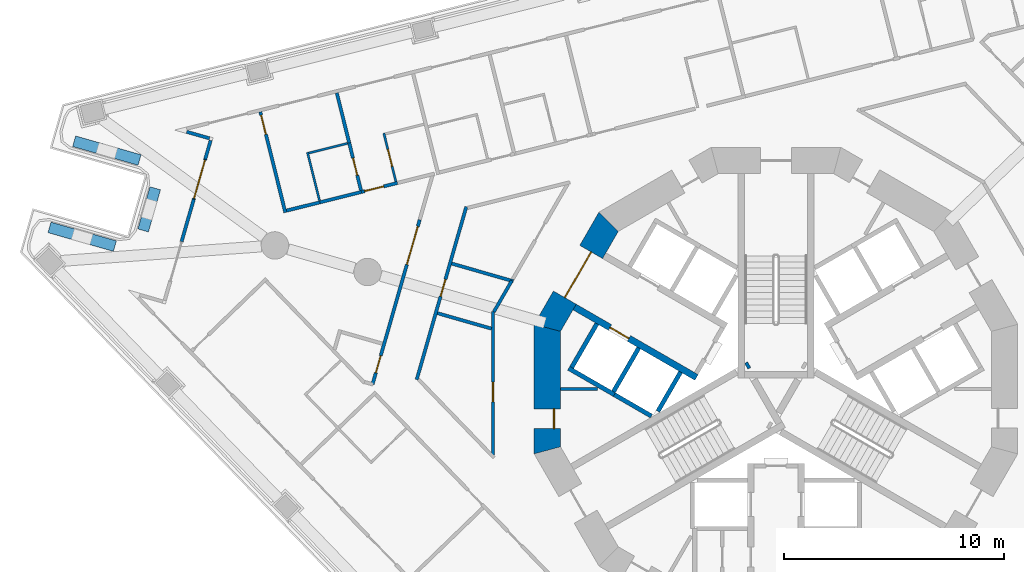
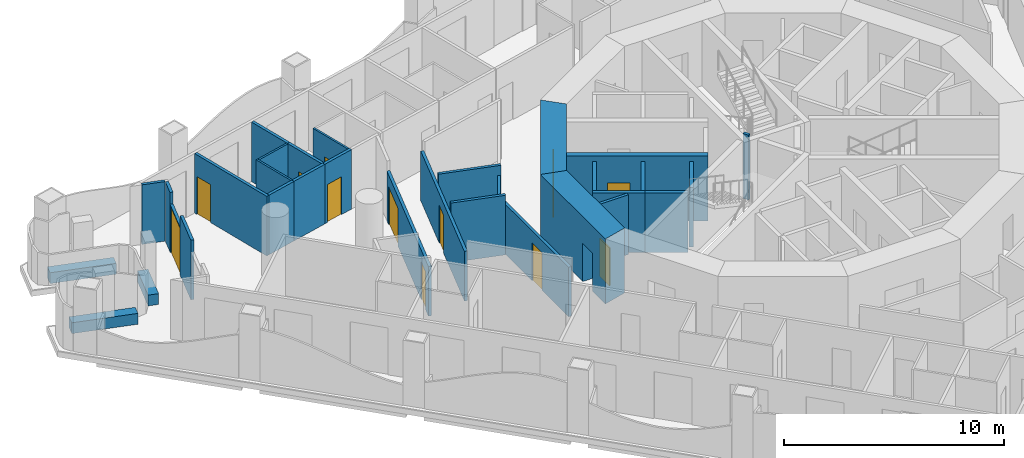
# One storey, part 6 of 18: 32 walls, 12 doors, 12 openings.
"""IFC4 building model written with IfcOpenShell, lengths in metres."""

from ifc_helpers import new_model, si_unit, direction, frame, frame_2d, origin, place, context, subcontext, project, spatial, polyline, rectangle, outline, extrude, material, layer, layer_set, type_object, element, fill, save


model = new_model("IFC4")

# Units and contexts
model_context = context("Model", 3, precision=1e-05, world=origin(), true_north=direction((0.0, 1.0)))
body_context = subcontext(model_context, "Body", "Model", "MODEL_VIEW")
ifc_project = project(units=[si_unit("LENGTHUNIT", "METRE"), si_unit("AREAUNIT", "SQUARE_METRE"), si_unit("VOLUMEUNIT", "CUBIC_METRE"), si_unit("PLANEANGLEUNIT", "RADIAN"), si_unit("MASSUNIT", "GRAM", prefix="KILO")], contexts=[model_context])

# Site, building, storey
site_placement = place(None, origin())
site = spatial("IfcSite", under=ifc_project, at=site_placement, CompositionType="ELEMENT")
building_placement = place(site_placement, origin())
building = spatial("IfcBuilding", under=site, at=building_placement, Name="Trine Commons Tower", CompositionType="ELEMENT")
storey_placement = place(building_placement, frame((0.0, 0.0, 94.5)))
storey = spatial("IfcBuildingStorey", under=building, at=storey_placement, Name="L23", CompositionType="ELEMENT", Elevation=94.5)

# Walls
ifc_material_1 = material(Name="Plasterboard partition on steel studs", Category="steel")
ifc_layer_1 = layer(ifc_material_1, 0.14990234375)
ifc_layer_set_1 = layer_set([ifc_layer_1], Name="Plasterboard partition on steel studs")
wall_type_1 = type_object("IfcWallType", Name="Core room partition 150 mm, EI 60", PredefinedType="PARTITIONING", material=ifc_layer_set_1)
wall_1_placement = place(storey_placement, frame((70.18798828125, 62.5, 0.0), z_axis=(0.0, 0.0, 1.0), x_axis=(1.0, 0.0, 0.0)))
element("IfcWall", 1, at=wall_1_placement, inside=storey, type_object=wall_type_1, Name="Core room partition L23", PredefinedType="PARTITIONING", context=body_context, shape_type="SweptSolid", body=[
    extrude(rectangle(XDim=1.68310546875, YDim=0.14990234375, at=frame_2d((0.841552734375, 0.0))), origin(), (0.0, 0.0, 1.0), 3.300048828125),
])
ifc_material_2 = material(Name="Aluminium-framed insulated wall panel", Category="aluminium")
ifc_layer_2 = layer(ifc_material_2, 0.14990234375)
ifc_layer_set_2 = layer_set([ifc_layer_2], Name="Aluminium-framed insulated wall panel")
wall_type_2 = type_object("IfcWallType", Name="Glazed frame wall 150, EI 60", PredefinedType="SOLIDWALL", material=ifc_layer_set_2)
wall_2_placement = place(storey_placement, frame((52.931396484375, 69.221435546875, 0.0), z_axis=(0.0, 0.0, 1.0), x_axis=(0.275511032617, 0.961297909551, 0.0)))
element("IfcWall", 2, at=wall_2_placement, inside=storey, type_object=wall_type_2, Name="Glazed frame wall P1.3", PredefinedType="SOLIDWALL", context=body_context, shape_type="SweptSolid", body=[
    extrude(outline(polyline([(0.0, -0.074951171875), (2.0, -0.074951171875), (2.0, 0.074951171875), (0.0, 0.074951171875), (0.0, -0.074951171875)])), origin(), (0.0, 0.0, 1.0), 3.300048828125),
])

# Wall, opening, door
wall_3_placement = place(storey_placement, frame((53.482421875, 71.14404296875, 0.0), z_axis=(0.0, 0.0, 1.0), x_axis=(0.275739195228, 0.961232488119, 0.0)))
wall_3 = element("IfcWall", 3, at=wall_3_placement, inside=storey, type_object=wall_type_2, Name="Glazed frame wall P1.4", PredefinedType="SOLIDWALL", context=body_context, shape_type="SweptSolid", body=[
    extrude(outline(polyline([(0.0, -0.074951171875), (1.89990234375, -0.074951171875), (1.89990234375, 0.074951171875), (0.0, 0.074951171875), (0.0, -0.074951171875)])), origin(), (0.0, 0.0, 1.0), 2.64990234375),
])
opening_1_placement = place(wall_3_placement, frame((0.050048828125, 0.0, 0.0)))
opening_1 = element("IfcOpeningElement", 4, at=opening_1_placement, cuts=wall_3, Name="Opening BD-3P1-02", PredefinedType="OPENING", context=body_context, shape_type="SweptSolid", body=[
    extrude(rectangle(XDim=1.800048828125, YDim=2.60009765625, at=frame_2d((0.89990234375, 1.300048828125))), frame((0.0, 0.0849609375, 0.0), z_axis=(0.0, -1.0, 0.0), x_axis=(1.0, 0.0, 0.0)), (0.0, 0.0, 1.0), 0.169921875),
])
ifc_material_3 = material(Name="Anodised aluminium frame with double glazing", Category="aluminium")
door_type_1 = type_object("IfcDoorType", Name="Sliding loggia door 1800x2600", OperationType="SLIDING_TO_LEFT", PredefinedType="DOOR", material=ifc_material_3)
door_1_placement = place(opening_1_placement, origin())
door_1 = element("IfcDoor", 5, at=door_1_placement, inside=storey, type_object=door_type_1, Name="Loggia door P1 2", OperationType="SLIDING_TO_LEFT", OverallHeight=2.60009765625, OverallWidth=1.800048828125, PredefinedType="DOOR", context=body_context, shape_type="SweptSolid", body=[
    extrude(rectangle(XDim=1.800048828125, YDim=2.60009765625, at=frame_2d((0.89990234375, 1.300048828125))), frame((0.0, 0.02490234375, 0.0), z_axis=(0.0, -1.0, 0.0), x_axis=(1.0, 0.0, 0.0)), (0.0, 0.0, 1.0), 0.050048828125),
])
fill(opening_1, door_1)

# Walls
wall_4_placement = place(storey_placement, frame((54.00634765625, 72.970458984375, 0.0), z_axis=(0.0, 0.0, 1.0), x_axis=(0.275656175253, 0.961256299353, 0.0)))
element("IfcWall", 6, at=wall_4_placement, inside=storey, type_object=wall_type_2, Name="Glazed frame wall P1.5", PredefinedType="SOLIDWALL", context=body_context, shape_type="SweptSolid", body=[
    extrude(outline(polyline([(0.889892578125, 0.074951171875), (0.0, 0.074951171875), (0.0, -0.074951171875), (0.889892578125, -0.074951171875), (0.889892578125, 0.074951171875)])), origin(), (0.0, 0.0, 1.0), 3.300048828125),
])
wall_5_placement = place(storey_placement, frame((54.305908203125, 73.888427734375, 0.0), z_axis=(0.0, 0.0, 1.0), x_axis=(-0.961242628544, 0.275703843044, 0.0)))
element("IfcWall", 7, at=wall_5_placement, inside=storey, type_object=wall_type_2, Name="Glazed frame wall R3", PredefinedType="SOLIDWALL", context=body_context, shape_type="SweptSolid", body=[
    extrude(outline(polyline([(0.110107421875, 0.074951171875), (0.110107421875, -0.074951171875), (1.19580078125, -0.074951171875), (1.19580078125, 0.074951171875), (0.110107421875, 0.074951171875)])), origin(), (0.0, 0.0, 1.0), 3.300048828125),
])
ifc_material_4 = material(Name="Planter trough, precast concrete C40/50", Category="concrete")
ifc_layer_3 = layer(ifc_material_4, 0.5)
ifc_layer_set_3 = layer_set([ifc_layer_3], Name="Planter trough, precast concrete C40/50")
wall_type_3 = type_object("IfcWallType", Name="Planter trough 500x600", PredefinedType="PARAPET", material=ifc_layer_set_3)
wall_6_placement = place(storey_placement, frame((46.91064453125, 69.865966796875, 0.0), z_axis=(0.0, 0.0, 1.0), x_axis=(0.961261991794, -0.275636324044, 0.0)))
element("IfcWall", 8, at=wall_6_placement, inside=storey, type_object=wall_type_3, Name="Planter 1", PredefinedType="PARAPET", context=body_context, shape_type="SweptSolid", body=[
    extrude(rectangle(XDim=3.10009765625, YDim=0.5, at=frame_2d((1.550048828125, 0.0))), origin(), (0.0, 0.0, 1.0), 0.60009765625),
])
wall_7_placement = place(storey_placement, frame((51.177001953125, 69.724609375, 0.0), z_axis=(0.0, 0.0, 1.0), x_axis=(0.275623830648, 0.961265574115, 0.0)))
element("IfcWall", 9, at=wall_7_placement, inside=storey, type_object=wall_type_3, Name="Planter 2", PredefinedType="PARAPET", context=body_context, shape_type="SweptSolid", body=[
    extrude(rectangle(XDim=2.0, YDim=0.5, at=frame_2d((1.0, 0.0))), origin(), (0.0, 0.0, 1.0), 0.60009765625),
])
wall_8_placement = place(storey_placement, frame((51.01513671875, 72.93359375, 0.0), z_axis=(0.0, 0.0, 1.0), x_axis=(-0.961261991794, 0.275636324044, 0.0)))
element("IfcWall", 10, at=wall_8_placement, inside=storey, type_object=wall_type_3, Name="Planter 3", PredefinedType="PARAPET", context=body_context, shape_type="SweptSolid", body=[
    extrude(rectangle(XDim=3.10009765625, YDim=0.5, at=frame_2d((1.550048828125, 0.0))), origin(), (0.0, 0.0, 1.0), 0.60009765625),
])

# Wall, opening, door
ifc_material_5 = material(Name="Concrete C70/85", Category="concrete")
ifc_layer_4 = layer(ifc_material_5, 1.199951171875)
ifc_layer_set_4 = layer_set([ifc_layer_4], Name="Concrete C70/85")
wall_type_4 = type_object("IfcWallType", Name="RC shear wall 1200 mm, C70/85", PredefinedType="SHEAR", material=ifc_layer_set_4)
wall_9_placement = place(storey_placement, frame((72.45849609375, 70.260986328125, 0.0), z_axis=(0.0, 0.0, 1.0), x_axis=(-0.499979111662, -0.866037463336, 0.0)))
wall_9 = element("IfcWall", 11, at=wall_9_placement, inside=storey, type_object=wall_type_4, Name="Core wall CWC-06 L23", PredefinedType="SHEAR", context=body_context, shape_type="SweptSolid", body=[
    extrude(outline(polyline([(0.0, -0.60009765625), (5.901123046875, -0.60009765625), (5.57958984375, 0.60009765625), (0.321533203125, 0.60009765625), (0.0, -0.60009765625)])), origin(), (0.0, 0.0, 1.0), 3.60009765625),
])
opening_2_placement = place(wall_9_placement, frame((1.75048828125, 0.0, 0.0)))
opening_2 = element("IfcOpeningElement", 12, at=opening_2_placement, cuts=wall_9, Name="Opening K06.06", PredefinedType="OPENING", context=body_context, shape_type="SweptSolid", body=[
    extrude(rectangle(XDim=2.39990234375, YDim=2.10009765625, at=frame_2d((1.199951171875, 1.050048828125))), frame((0.0, 0.60986328125, 0.0), z_axis=(0.0, -1.0, 0.0), x_axis=(1.0, 0.0, 0.0)), (0.0, 0.0, 1.0), 1.219970703125),
])
ifc_material_6 = material(Name="Steel door leaves, fire-rated", Category="steel")
door_type_2 = type_object("IfcDoorType", Name="Lobby door, double leaf 2400 x 2100, FD60", OperationType="DOUBLE_DOOR_SINGLE_SWING", PredefinedType="DOOR", material=ifc_material_6)
door_2_placement = place(opening_2_placement, origin())
door_2 = element("IfcDoor", 13, at=door_2_placement, inside=storey, type_object=door_type_2, Name="Lobby door, Passenger lift lobby B L23", OperationType="DOUBLE_DOOR_SINGLE_SWING", OverallHeight=2.10009765625, OverallWidth=2.39990234375, PredefinedType="DOOR", context=body_context, shape_type="SweptSolid", body=[
    extrude(rectangle(XDim=2.39990234375, YDim=2.10009765625, at=frame_2d((1.199951171875, 1.050048828125))), frame((0.0, 0.02490234375, 0.0), z_axis=(0.0, -1.0, 0.0), x_axis=(1.0, 0.0, 0.0)), (0.0, 0.0, 1.0), 0.050048828125),
])
fill(opening_2, door_2)

wall_10_placement = place(storey_placement, frame((69.58837890625, 65.450439453125, 0.0), z_axis=(0.0, 0.0, 1.0), x_axis=(0.0, -1.0, 0.0)))
wall_10 = element("IfcWall", 14, at=wall_10_placement, inside=storey, type_object=wall_type_4, Name="Core wall CWC-07 L23", PredefinedType="SHEAR", context=body_context, shape_type="SweptSolid", body=[
    extrude(outline(polyline([(0.0, -0.60009765625), (5.90087890625, -0.60009765625), (5.57958984375, 0.60009765625), (0.321533203125, 0.60009765625), (0.0, -0.60009765625)])), origin(), (0.0, 0.0, 1.0), 3.60009765625),
])
opening_3_placement = place(wall_10_placement, frame((3.8505859375, 0.0, 0.0)))
opening_3 = element("IfcOpeningElement", 15, at=opening_3_placement, cuts=wall_10, Name="Opening K06.14", PredefinedType="OPENING", context=body_context, shape_type="SweptSolid", body=[
    extrude(rectangle(XDim=0.89990234375, YDim=2.10009765625, at=frame_2d((0.449951171875, 1.050048828125))), frame((0.0, 0.60986328125, 0.0), z_axis=(0.0, -1.0, 0.0), x_axis=(1.0, 0.0, 0.0)), (0.0, 0.0, 1.0), 1.219970703125),
])
ifc_material_7 = material(Name="Steel door leaf, fire-rated", Category="steel")
door_type_3 = type_object("IfcDoorType", Name="Core room door, single leaf 900 x 2100, FD30S", OperationType="SINGLE_SWING_LEFT", PredefinedType="DOOR", material=ifc_material_7)
door_3_placement = place(opening_3_placement, origin())
door_3 = element("IfcDoor", 16, at=door_3_placement, inside=storey, type_object=door_type_3, Name="Door to Comms room L23", OperationType="SINGLE_SWING_RIGHT", OverallHeight=2.10009765625, OverallWidth=0.89990234375, PredefinedType="DOOR", context=body_context, shape_type="SweptSolid", body=[
    extrude(rectangle(XDim=0.89990234375, YDim=2.10009765625, at=frame_2d((0.449951171875, 1.050048828125))), frame((0.0, 0.3251953125, 0.0), z_axis=(0.0, -1.0, 0.0), x_axis=(1.0, 0.0, 0.0)), (0.0, 0.0, 1.0), 0.050048828125),
])
fill(opening_3, door_3)

ifc_layer_5 = layer(ifc_material_5, 0.300048828125)
ifc_layer_set_5 = layer_set([ifc_layer_5], Name="Concrete C70/85")
wall_type_5 = type_object("IfcWallType", Name="RC shear wall 300 mm, C70/85", PredefinedType="SHEAR", material=ifc_layer_set_5)
wall_11_placement = place(storey_placement, frame((76.381103515625, 63.031005859375, 0.0), z_axis=(0.0, 0.0, 1.0), x_axis=(-0.866032150378, 0.499988314375, 0.0)))
wall_11 = element("IfcWall", 17, at=wall_11_placement, inside=storey, type_object=wall_type_5, Name="Core cross wall SWA-01 L23", PredefinedType="SHEAR", context=body_context, shape_type="SweptSolid", body=[
    extrude(rectangle(XDim=6.412353515625, YDim=0.300048828125, at=frame_2d((3.2060546875, 0.0))), origin(), (0.0, 0.0, 1.0), 3.60009765625),
])
opening_4_placement = place(wall_11_placement, frame((3.55029296875, 0.0, 0.0)))
opening_4 = element("IfcOpeningElement", 18, at=opening_4_placement, cuts=wall_11, Name="Opening LD3", PredefinedType="OPENING", context=body_context, shape_type="SweptSolid", body=[
    extrude(rectangle(XDim=1.0, YDim=2.10009765625, at=frame_2d((0.5, 1.050048828125))), frame((0.0, 0.159912109375, 0.0), z_axis=(0.0, -1.0, 0.0), x_axis=(1.0, 0.0, 0.0)), (0.0, 0.0, 1.0), 0.320068359375),
])
ifc_material_8 = material(Name="Stainless steel sliding door leaves", Category="steel")
door_type_4 = type_object("IfcDoorType", Name="Lift landing door, centre-opening sliding 1000 x 2100, FD90", OperationType="DOUBLE_DOOR_SLIDING", PredefinedType="DOOR", material=ifc_material_8)
door_4_placement = place(opening_4_placement, origin())
door_4 = element("IfcDoor", 19, at=door_4_placement, inside=storey, type_object=door_type_4, Name="Lift landing door LR3 L23", OperationType="DOUBLE_DOOR_SLIDING", OverallHeight=2.10009765625, OverallWidth=1.0, PredefinedType="DOOR", context=body_context, shape_type="SweptSolid", body=[
    extrude(rectangle(XDim=1.0, YDim=2.10009765625, at=frame_2d((0.5, 1.050048828125))), frame((0.0, 0.02490234375, 0.0), z_axis=(0.0, -1.0, 0.0), x_axis=(1.0, 0.0, 0.0)), (0.0, 0.0, 1.0), 0.050048828125),
])
fill(opening_4, door_4)

# Walls
wall_12_placement = place(storey_placement, frame((78.779052734375, 63.614013671875, 0.0), z_axis=(0.0, 0.0, 1.0), x_axis=(-0.867737973955, -0.497021939713, 0.0)))
element("IfcWall", 20, at=wall_12_placement, inside=storey, type_object=wall_type_5, Name="Core cross wall SWA-09 L23", PredefinedType="SHEAR", context=body_context, shape_type="SweptSolid", body=[
    extrude(rectangle(XDim=0.14892578125, YDim=0.300048828125, at=frame_2d((0.074462890625, 0.0))), origin(), (0.0, 0.0, 1.0), 3.60009765625),
])
ifc_material_9 = material(Name="Fire-rated gypsum shaft wall system")
ifc_layer_6 = layer(ifc_material_9, 0.199951171875)
ifc_layer_set_6 = layer_set([ifc_layer_6], Name="Fire-rated gypsum shaft wall system")
wall_type_6 = type_object("IfcWallType", Name="Shaft wall 200 mm, EI 120", PredefinedType="PARTITIONING", material=ifc_layer_set_6)
wall_13_placement = place(storey_placement, frame((71.844970703125, 65.47607421875, 0.0), z_axis=(0.0, 0.0, 1.0), x_axis=(-0.500136062276, -0.86594683394, 0.0)))
element("IfcWall", 21, at=wall_13_placement, inside=storey, type_object=wall_type_6, Name="Shaft wall L23", PredefinedType="PARTITIONING", context=body_context, shape_type="SweptSolid", body=[
    extrude(rectangle(XDim=2.299072265625, YDim=0.199951171875, at=frame_2d((1.1494140625, 0.0))), origin(), (0.0, 0.0, 1.0), 3.300048828125),
])
wall_14_placement = place(storey_placement, frame((72.637939453125, 62.248046875, 0.0), z_axis=(0.0, 0.0, 1.0), x_axis=(-0.866177122335, 0.499737123639, 0.0)))
element("IfcWall", 22, at=wall_14_placement, inside=storey, type_object=wall_type_6, Name="Shaft wall L23", PredefinedType="PARTITIONING", context=body_context, shape_type="SweptSolid", body=[
    extrude(rectangle(XDim=2.401123046875, YDim=0.199951171875, at=frame_2d((1.20068359375, 0.0))), origin(), (0.0, 0.0, 1.0), 3.300048828125),
])
wall_15_placement = place(storey_placement, frame((73.7509765625, 64.3759765625, 0.0), z_axis=(0.0, 0.0, 1.0), x_axis=(-0.500136062276, -0.86594683394, 0.0)))
element("IfcWall", 23, at=wall_15_placement, inside=storey, type_object=wall_type_6, Name="Shaft wall L23", PredefinedType="PARTITIONING", context=body_context, shape_type="SweptSolid", body=[
    extrude(rectangle(XDim=2.299072265625, YDim=0.199951171875, at=frame_2d((1.1494140625, 0.0))), origin(), (0.0, 0.0, 1.0), 3.300048828125),
])
wall_16_placement = place(storey_placement, frame((74.324951171875, 61.27294921875, 0.0), z_axis=(0.0, 0.0, 1.0), x_axis=(-0.865780634835, 0.500423712812, 0.0)))
element("IfcWall", 24, at=wall_16_placement, inside=storey, type_object=wall_type_6, Name="Shaft wall L23", PredefinedType="PARTITIONING", context=body_context, shape_type="SweptSolid", body=[
    extrude(rectangle(XDim=1.948486328125, YDim=0.199951171875, at=frame_2d((0.97412109375, 0.0))), origin(), (0.0, 0.0, 1.0), 3.300048828125),
])
wall_17_placement = place(storey_placement, frame((75.656005859375, 63.27587890625, 0.0), z_axis=(0.0, 0.0, 1.0), x_axis=(-0.500271688072, -0.86586848777, 0.0)))
element("IfcWall", 25, at=wall_17_placement, inside=storey, type_object=wall_type_6, Name="Shaft wall L23", PredefinedType="PARTITIONING", context=body_context, shape_type="SweptSolid", body=[
    extrude(rectangle(XDim=2.064697265625, YDim=0.199951171875, at=frame_2d((1.0322265625, 0.0))), origin(), (0.0, 0.0, 1.0), 3.300048828125),
])

# Wall, opening, door
ifc_material_10 = material(Name="Gypsum plasterboard on steel stud", Category="steel")
ifc_layer_7 = layer(ifc_material_10, 0.14990234375)
ifc_layer_set_7 = layer_set([ifc_layer_7], Name="Gypsum plasterboard on steel stud")
wall_type_7 = type_object("IfcWallType", Name="Unit and corridor wall 150 mm, EI 60", PredefinedType="PARTITIONING", material=ifc_layer_set_7)
wall_18_placement = place(storey_placement, frame((56.513671875, 75.122314453125, 0.0), z_axis=(0.0, 0.0, 1.0), x_axis=(0.24185448203, -0.970312531879, 0.0)))
wall_18 = element("IfcWall", 26, at=wall_18_placement, inside=storey, type_object=wall_type_7, Name="Partition 002", PredefinedType="PARTITIONING", context=body_context, shape_type="SweptSolid", body=[
    extrude(rectangle(XDim=4.72314453125, YDim=0.14990234375, at=frame_2d((2.361572265625, 0.0))), origin(), (0.0, 0.0, 1.0), 3.300048828125),
])
opening_5_placement = place(wall_18_placement, frame((0.14990234375, 0.0, 0.0)))
opening_5 = element("IfcOpeningElement", 27, at=opening_5_placement, cuts=wall_18, Name="Opening D-3A07", PredefinedType="OPENING", context=body_context, shape_type="SweptSolid", body=[
    extrude(rectangle(XDim=0.89990234375, YDim=2.10009765625, at=frame_2d((0.449951171875, 1.050048828125))), frame((0.0, 0.0849609375, 0.0), z_axis=(0.0, -1.0, 0.0), x_axis=(1.0, 0.0, 0.0)), (0.0, 0.0, 1.0), 0.169921875),
])
ifc_material_11 = material(Name="Timber fire door set", Category="wood")
door_type_5 = type_object("IfcDoorType", Name="Bedroom door 900 x 2100, FD30S", OperationType="NOTDEFINED", PredefinedType="DOOR", material=ifc_material_11)
door_5_placement = place(opening_5_placement, origin())
door_5 = element("IfcDoor", 28, at=door_5_placement, inside=storey, type_object=door_type_5, Name="Door D-3A07", OperationType="SINGLE_SWING_LEFT", OverallHeight=2.10009765625, OverallWidth=0.89990234375, PredefinedType="DOOR", context=body_context, shape_type="SweptSolid", body=[
    extrude(rectangle(XDim=0.89990234375, YDim=2.10009765625, at=frame_2d((0.449951171875, 1.050048828125))), frame((0.0, 0.02490234375, 0.0), z_axis=(0.0, -1.0, 0.0), x_axis=(1.0, 0.0, 0.0)), (0.0, 0.0, 1.0), 0.050048828125),
])
fill(opening_5, door_5)

# Walls
wall_19_placement = place(storey_placement, frame((57.710693359375, 70.630126953125, 0.0), z_axis=(0.0, 0.0, 1.0), x_axis=(0.970352827437, 0.2416927601, 0.0)))
element("IfcWall", 29, at=wall_19_placement, inside=storey, type_object=wall_type_7, Name="Partition 004", PredefinedType="PARTITIONING", context=body_context, shape_type="SweptSolid", body=[
    extrude(rectangle(XDim=1.567626953125, YDim=0.14990234375, at=frame_2d((0.78369140625, 0.0))), origin(), (0.0, 0.0, 1.0), 3.300048828125),
])
wall_20_placement = place(storey_placement, frame((59.22509765625, 71.007080078125, 0.0), z_axis=(0.0, 0.0, 1.0), x_axis=(0.970245142025, 0.242124687666, 0.0)))
element("IfcWall", 30, at=wall_20_placement, inside=storey, type_object=wall_type_7, Name="Partition 010", PredefinedType="PARTITIONING", context=body_context, shape_type="SweptSolid", body=[
    extrude(rectangle(XDim=1.957275390625, YDim=0.14990234375, at=frame_2d((0.978515625, 0.0))), origin(), (0.0, 0.0, 1.0), 3.300048828125),
])
wall_21_placement = place(storey_placement, frame((59.99560546875, 75.990234375, 0.0), z_axis=(0.0, 0.0, 1.0), x_axis=(0.242046315203, -0.970264696511, 0.0)))
element("IfcWall", 31, at=wall_21_placement, inside=storey, type_object=wall_type_7, Name="Partition 012", PredefinedType="PARTITIONING", context=body_context, shape_type="SweptSolid", body=[
    extrude(rectangle(XDim=2.34814453125, YDim=0.14990234375, at=frame_2d((1.174072265625, 0.0))), origin(), (0.0, 0.0, 1.0), 3.300048828125),
])

# Wall, opening, door
wall_22_placement = place(storey_placement, frame((60.56396484375, 73.7119140625, 0.0), z_axis=(0.0, 0.0, 1.0), x_axis=(0.241709422817, -0.970348676982, 0.0)))
wall_22 = element("IfcWall", 32, at=wall_22_placement, inside=storey, type_object=wall_type_7, Name="Partition 014", PredefinedType="PARTITIONING", context=body_context, shape_type="SweptSolid", body=[
    extrude(rectangle(XDim=2.22509765625, YDim=0.14990234375, at=frame_2d((1.112548828125, 0.0))), origin(), (0.0, 0.0, 1.0), 3.300048828125),
])
opening_6_placement = place(wall_22_placement, frame((0.712646484375, 0.0, 0.0)))
opening_6 = element("IfcOpeningElement", 33, at=opening_6_placement, cuts=wall_22, Name="Opening D-3A36", PredefinedType="OPENING", context=body_context, shape_type="SweptSolid", body=[
    extrude(rectangle(XDim=0.800048828125, YDim=2.10009765625, at=frame_2d((0.39990234375, 1.050048828125))), frame((0.0, 0.0849609375, 0.0), z_axis=(0.0, -1.0, 0.0), x_axis=(1.0, 0.0, 0.0)), (0.0, 0.0, 1.0), 0.169921875),
])
ifc_material_12 = material(Name="Painted timber", Category="wood")
door_type_6 = type_object("IfcDoorType", Name="Internal door 800 x 2100, NOT RATED", OperationType="NOTDEFINED", PredefinedType="DOOR", material=ifc_material_12)
door_6_placement = place(opening_6_placement, origin())
door_6 = element("IfcDoor", 34, at=door_6_placement, inside=storey, type_object=door_type_6, Name="Door D-3A36", OperationType="SINGLE_SWING_LEFT", OverallHeight=2.10009765625, OverallWidth=0.800048828125, PredefinedType="DOOR", context=body_context, shape_type="SweptSolid", body=[
    extrude(rectangle(XDim=0.800048828125, YDim=2.10009765625, at=frame_2d((0.39990234375, 1.050048828125))), frame((0.0, 0.02490234375, 0.0), z_axis=(0.0, -1.0, 0.0), x_axis=(1.0, 0.0, 0.0)), (0.0, 0.0, 1.0), 0.050048828125),
])
fill(opening_6, door_6)

wall_23_placement = place(storey_placement, frame((61.115966796875, 71.47900390625, 0.0), z_axis=(0.0, 0.0, 1.0), x_axis=(0.970311632009, 0.241858092252, 0.0)))
wall_23 = element("IfcWall", 35, at=wall_23_placement, inside=storey, type_object=wall_type_7, Name="Partition 015", PredefinedType="PARTITIONING", context=body_context, shape_type="SweptSolid", body=[
    extrude(rectangle(XDim=1.69580078125, YDim=0.14990234375, at=frame_2d((0.847900390625, 0.0))), origin(), (0.0, 0.0, 1.0), 3.300048828125),
])
opening_7_placement = place(wall_23_placement, frame((0.154052734375, 0.0, 0.0)))
opening_7 = element("IfcOpeningElement", 36, at=opening_7_placement, cuts=wall_23, Name="Opening D-3A08", PredefinedType="OPENING", context=body_context, shape_type="SweptSolid", body=[
    extrude(rectangle(XDim=0.89990234375, YDim=2.10009765625, at=frame_2d((0.449951171875, 1.050048828125))), frame((0.0, 0.0849609375, 0.0), z_axis=(0.0, -1.0, 0.0), x_axis=(1.0, 0.0, 0.0)), (0.0, 0.0, 1.0), 0.169921875),
])
door_7_placement = place(opening_7_placement, origin())
door_7 = element("IfcDoor", 37, at=door_7_placement, inside=storey, type_object=door_type_5, Name="Door D-3A08", OperationType="SINGLE_SWING_LEFT", OverallHeight=2.10009765625, OverallWidth=0.89990234375, PredefinedType="DOOR", context=body_context, shape_type="SweptSolid", body=[
    extrude(rectangle(XDim=0.89990234375, YDim=2.10009765625, at=frame_2d((0.449951171875, 1.050048828125))), frame((0.0, 0.02490234375, 0.0), z_axis=(0.0, -1.0, 0.0), x_axis=(1.0, 0.0, 0.0)), (0.0, 0.0, 1.0), 0.050048828125),
])
fill(opening_7, door_7)

# Wall, openings, doors
wall_24_placement = place(storey_placement, frame((61.625, 62.715087890625, 0.0), z_axis=(0.0, 0.0, 1.0), x_axis=(0.275614307244, 0.961268304711, 0.0)))
wall_24 = element("IfcWall", 38, at=wall_24_placement, inside=storey, type_object=wall_type_7, Name="Partition 018", PredefinedType="PARTITIONING", context=body_context, shape_type="SweptSolid", body=[
    extrude(rectangle(XDim=7.796875, YDim=0.14990234375, at=frame_2d((3.8984375, 0.0))), origin(), (0.0, 0.0, 1.0), 2.75),
])
opening_8_placement = place(wall_24_placement, frame((5.67919921875, 0.0, 0.0)))
opening_8 = element("IfcOpeningElement", 39, at=opening_8_placement, cuts=wall_24, Name="Opening D-3A03", PredefinedType="OPENING", context=body_context, shape_type="SweptSolid", body=[
    extrude(rectangle(XDim=1.800048828125, YDim=2.10009765625, at=frame_2d((0.89990234375, 1.050048828125))), frame((0.0, 0.0849609375, 0.0), z_axis=(0.0, -1.0, 0.0), x_axis=(1.0, 0.0, 0.0)), (0.0, 0.0, 1.0), 0.169921875),
])
opening_9_placement = place(wall_24_placement, frame((0.554443359375, 0.0, 0.0)))
opening_9 = element("IfcOpeningElement", 40, at=opening_9_placement, cuts=wall_24, Name="Opening D-3A06", PredefinedType="OPENING", context=body_context, shape_type="SweptSolid", body=[
    extrude(rectangle(XDim=0.800048828125, YDim=2.10009765625, at=frame_2d((0.39990234375, 1.050048828125))), frame((0.0, 0.0849609375, 0.0), z_axis=(0.0, -1.0, 0.0), x_axis=(1.0, 0.0, 0.0)), (0.0, 0.0, 1.0), 0.169921875),
])
door_type_7 = type_object("IfcDoorType", Name="Cluster entrance door 1800 x 2100, double leaf, FD30S", OperationType="DOUBLE_DOOR_DOUBLE_SWING", PredefinedType="DOOR", material=ifc_material_11)
door_8_placement = place(opening_8_placement, origin())
door_8 = element("IfcDoor", 41, at=door_8_placement, inside=storey, type_object=door_type_7, Name="Door D-3A03", OperationType="DOUBLE_DOOR_DOUBLE_SWING", OverallHeight=2.10009765625, OverallWidth=1.800048828125, PredefinedType="DOOR", context=body_context, shape_type="SweptSolid", body=[
    extrude(rectangle(XDim=1.800048828125, YDim=2.10009765625, at=frame_2d((0.89990234375, 1.050048828125))), frame((0.0, 0.02490234375, 0.0), z_axis=(0.0, -1.0, 0.0), x_axis=(1.0, 0.0, 0.0)), (0.0, 0.0, 1.0), 0.050048828125),
])
fill(opening_8, door_8)
door_type_8 = type_object("IfcDoorType", Name="Toilet door 800 x 2100, NOT RATED", OperationType="NOTDEFINED", PredefinedType="DOOR", material=ifc_material_12)
door_9_placement = place(opening_9_placement, origin())
door_9 = element("IfcDoor", 42, at=door_9_placement, inside=storey, type_object=door_type_8, Name="Door D-3A06", OperationType="SINGLE_SWING_LEFT", OverallHeight=2.10009765625, OverallWidth=0.800048828125, PredefinedType="DOOR", context=body_context, shape_type="SweptSolid", body=[
    extrude(rectangle(XDim=0.800048828125, YDim=2.10009765625, at=frame_2d((0.39990234375, 1.050048828125))), frame((0.0, 0.02490234375, 0.0), z_axis=(0.0, -1.0, 0.0), x_axis=(1.0, 0.0, 0.0)), (0.0, 0.0, 1.0), 0.050048828125),
])
fill(opening_9, door_9)

# Wall, opening, door
wall_25_placement = place(storey_placement, frame((63.63720703125, 62.930908203125, 0.0), z_axis=(0.0, 0.0, 1.0), x_axis=(0.275598829518, 0.961272742341, 0.0)))
wall_25 = element("IfcWall", 43, at=wall_25_placement, inside=storey, type_object=wall_type_7, Name="Partition 025", PredefinedType="PARTITIONING", context=body_context, shape_type="SweptSolid", body=[
    extrude(rectangle(XDim=8.19140625, YDim=0.14990234375, at=frame_2d((4.095703125, 0.0))), origin(), (0.0, 0.0, 1.0), 2.75),
])
opening_10_placement = place(wall_25_placement, frame((3.94580078125, 0.0, 0.0)))
opening_10 = element("IfcOpeningElement", 44, at=opening_10_placement, cuts=wall_25, Name="Opening D-3A34", PredefinedType="OPENING", context=body_context, shape_type="SweptSolid", body=[
    extrude(rectangle(XDim=0.800048828125, YDim=2.10009765625, at=frame_2d((0.39990234375, 1.050048828125))), frame((0.0, 0.0849609375, 0.0), z_axis=(0.0, -1.0, 0.0), x_axis=(1.0, 0.0, 0.0)), (0.0, 0.0, 1.0), 0.169921875),
])
door_10_placement = place(opening_10_placement, frame((0.800048828125, 0.0, 0.0), z_axis=(0.0, 0.0, 1.0), x_axis=(-1.0, 0.0, 0.0)))
door_10 = element("IfcDoor", 45, at=door_10_placement, inside=storey, type_object=door_type_8, Name="Door D-3A34", OperationType="SINGLE_SWING_LEFT", OverallHeight=2.10009765625, OverallWidth=0.800048828125, PredefinedType="DOOR", context=body_context, shape_type="SweptSolid", body=[
    extrude(rectangle(XDim=0.800048828125, YDim=2.10009765625, at=frame_2d((0.39990234375, 1.050048828125))), frame((0.0, 0.02490234375, 0.0), z_axis=(0.0, -1.0, 0.0), x_axis=(1.0, 0.0, 0.0)), (0.0, 0.0, 1.0), 0.050048828125),
])
fill(opening_10, door_10)

# Walls
wall_26_placement = place(storey_placement, frame((64.5830078125, 65.958251953125, 0.0), z_axis=(0.0, 0.0, 1.0), x_axis=(0.961285789876, -0.275553316407, 0.0)))
element("IfcWall", 46, at=wall_26_placement, inside=storey, type_object=wall_type_7, Name="Partition 029", PredefinedType="PARTITIONING", context=body_context, shape_type="SweptSolid", body=[
    extrude(rectangle(XDim=2.556884765625, YDim=0.14990234375, at=frame_2d((1.2783203125, 0.0))), origin(), (0.0, 0.0, 1.0), 3.300048828125),
])
wall_27_placement = place(storey_placement, frame((65.231201171875, 68.21728515625, 0.0), z_axis=(0.0, 0.0, 1.0), x_axis=(0.961306086513, -0.275482500411, 0.0)))
element("IfcWall", 47, at=wall_27_placement, inside=storey, type_object=wall_type_7, Name="Partition 031", PredefinedType="PARTITIONING", context=body_context, shape_type="SweptSolid", body=[
    extrude(rectangle(XDim=2.921875, YDim=0.14990234375, at=frame_2d((1.4609375, 0.0))), origin(), (0.0, 0.0, 1.0), 3.300048828125),
])

# Wall, opening, door
wall_28_placement = place(storey_placement, frame((67.113037109375, 59.49609375, 0.0), z_axis=(0.0, 0.0, 1.0), x_axis=(0.0, 1.0, 0.0)))
wall_28 = element("IfcWall", 48, at=wall_28_placement, inside=storey, type_object=wall_type_7, Name="Partition 036", PredefinedType="PARTITIONING", context=body_context, shape_type="SweptSolid", body=[
    extrude(rectangle(XDim=6.531982421875, YDim=0.14990234375, at=frame_2d((3.26611328125, 0.0))), origin(), (0.0, 0.0, 1.0), 2.75),
])
opening_11_placement = place(wall_28_placement, frame((2.41845703125, 0.0, 0.0)))
opening_11 = element("IfcOpeningElement", 49, at=opening_11_placement, cuts=wall_28, Name="Opening D-3A30", PredefinedType="OPENING", context=body_context, shape_type="SweptSolid", body=[
    extrude(rectangle(XDim=0.89990234375, YDim=2.10009765625, at=frame_2d((0.449951171875, 1.050048828125))), frame((0.0, 0.0849609375, 0.0), z_axis=(0.0, -1.0, 0.0), x_axis=(1.0, 0.0, 0.0)), (0.0, 0.0, 1.0), 0.169921875),
])
door_type_9 = type_object("IfcDoorType", Name="Service door 900 x 2100, FD30S", OperationType="NOTDEFINED", PredefinedType="DOOR", material=ifc_material_11)
door_11_placement = place(opening_11_placement, origin())
door_11 = element("IfcDoor", 50, at=door_11_placement, inside=storey, type_object=door_type_9, Name="Door D-3A30", OperationType="SINGLE_SWING_LEFT", OverallHeight=2.10009765625, OverallWidth=0.89990234375, PredefinedType="DOOR", context=body_context, shape_type="SweptSolid", body=[
    extrude(rectangle(XDim=0.89990234375, YDim=2.10009765625, at=frame_2d((0.449951171875, 1.050048828125))), frame((0.0, 0.02490234375, 0.0), z_axis=(0.0, -1.0, 0.0), x_axis=(1.0, 0.0, 0.0)), (0.0, 0.0, 1.0), 0.050048828125),
])
fill(opening_11, door_11)

# Walls
wall_29_placement = place(storey_placement, frame((67.150390625, 66.01806640625, 0.0), z_axis=(0.0, 0.0, 1.0), x_axis=(0.49971385212, 0.866190548321, 0.0)))
element("IfcWall", 51, at=wall_29_placement, inside=storey, type_object=wall_type_7, Name="Partition 037", PredefinedType="PARTITIONING", context=body_context, shape_type="SweptSolid", body=[
    extrude(rectangle(XDim=1.63818359375, YDim=0.14990234375, at=frame_2d((0.819091796875, 0.0))), origin(), (0.0, 0.0, 1.0), 2.75),
])
ifc_layer_8 = layer(ifc_material_10, 0.10009765625)
ifc_layer_set_8 = layer_set([ifc_layer_8], Name="Gypsum plasterboard on steel stud")
wall_type_8 = type_object("IfcWallType", Name="Unit partition 100 mm, no rating", PredefinedType="PARTITIONING", material=ifc_layer_set_8)
wall_30_placement = place(storey_placement, frame((58.658935546875, 73.28857421875, 0.0), z_axis=(0.0, 0.0, 1.0), x_axis=(0.242156763047, -0.97023713705, 0.0)))
element("IfcWall", 52, at=wall_30_placement, inside=storey, type_object=wall_type_8, Name="Partition 008", PredefinedType="PARTITIONING", context=body_context, shape_type="SweptSolid", body=[
    extrude(rectangle(XDim=2.2744140625, YDim=0.10009765625, at=frame_2d((1.13720703125, 0.0))), origin(), (0.0, 0.0, 1.0), 3.300048828125),
])
wall_31_placement = place(storey_placement, frame((58.719482421875, 73.252197265625, 0.0), z_axis=(0.0, 0.0, 1.0), x_axis=(0.970307441934, 0.241874901813, 0.0)))
element("IfcWall", 53, at=wall_31_placement, inside=storey, type_object=wall_type_8, Name="Partition 009", PredefinedType="PARTITIONING", context=body_context, shape_type="SweptSolid", body=[
    extrude(rectangle(XDim=1.825927734375, YDim=0.10009765625, at=frame_2d((0.9130859375, 0.0))), origin(), (0.0, 0.0, 1.0), 3.300048828125),
])

# Wall, opening, door
wall_32_placement = place(storey_placement, frame((62.140869140625, 74.156494140625, 0.0), z_axis=(0.0, 0.0, 1.0), x_axis=(0.241853593672, -0.970312753306, 0.0)))
wall_32 = element("IfcWall", 54, at=wall_32_placement, inside=storey, type_object=wall_type_8, Name="Partition 020", PredefinedType="PARTITIONING", context=body_context, shape_type="SweptSolid", body=[
    extrude(rectangle(XDim=2.2744140625, YDim=0.10009765625, at=frame_2d((1.13720703125, 0.0))), origin(), (0.0, 0.0, 1.0), 3.300048828125),
])
opening_12_placement = place(wall_32_placement, frame((0.76220703125, 0.0, 0.0)))
opening_12 = element("IfcOpeningElement", 55, at=opening_12_placement, cuts=wall_32, Name="Opening D-3A37", PredefinedType="OPENING", context=body_context, shape_type="SweptSolid", body=[
    extrude(rectangle(XDim=0.800048828125, YDim=2.10009765625, at=frame_2d((0.39990234375, 1.050048828125))), frame((0.0, 0.06005859375, 0.0), z_axis=(0.0, -1.0, 0.0), x_axis=(1.0, 0.0, 0.0)), (0.0, 0.0, 1.0), 0.1201171875),
])
door_12_placement = place(opening_12_placement, frame((0.800048828125, 0.0, 0.0), z_axis=(0.0, 0.0, 1.0), x_axis=(-1.0, 0.0, 0.0)))
door_12 = element("IfcDoor", 56, at=door_12_placement, inside=storey, type_object=door_type_6, Name="Door D-3A37", OperationType="SINGLE_SWING_LEFT", OverallHeight=2.10009765625, OverallWidth=0.800048828125, PredefinedType="DOOR", context=body_context, shape_type="SweptSolid", body=[
    extrude(rectangle(XDim=0.800048828125, YDim=2.10009765625, at=frame_2d((0.39990234375, 1.050048828125))), frame((0.0, 0.02490234375, 0.0), z_axis=(0.0, -1.0, 0.0), x_axis=(1.0, 0.0, 0.0)), (0.0, 0.0, 1.0), 0.050048828125),
])
fill(opening_12, door_12)

save(model, "model.ifc")
